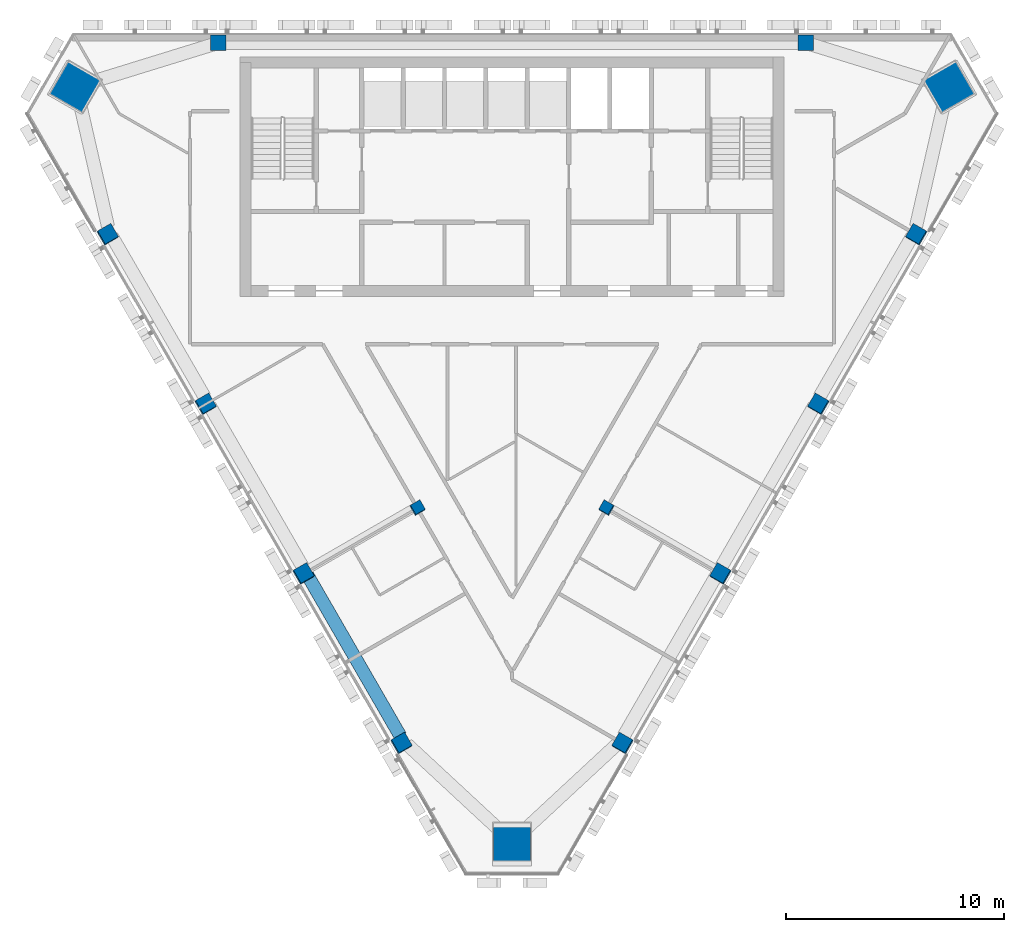
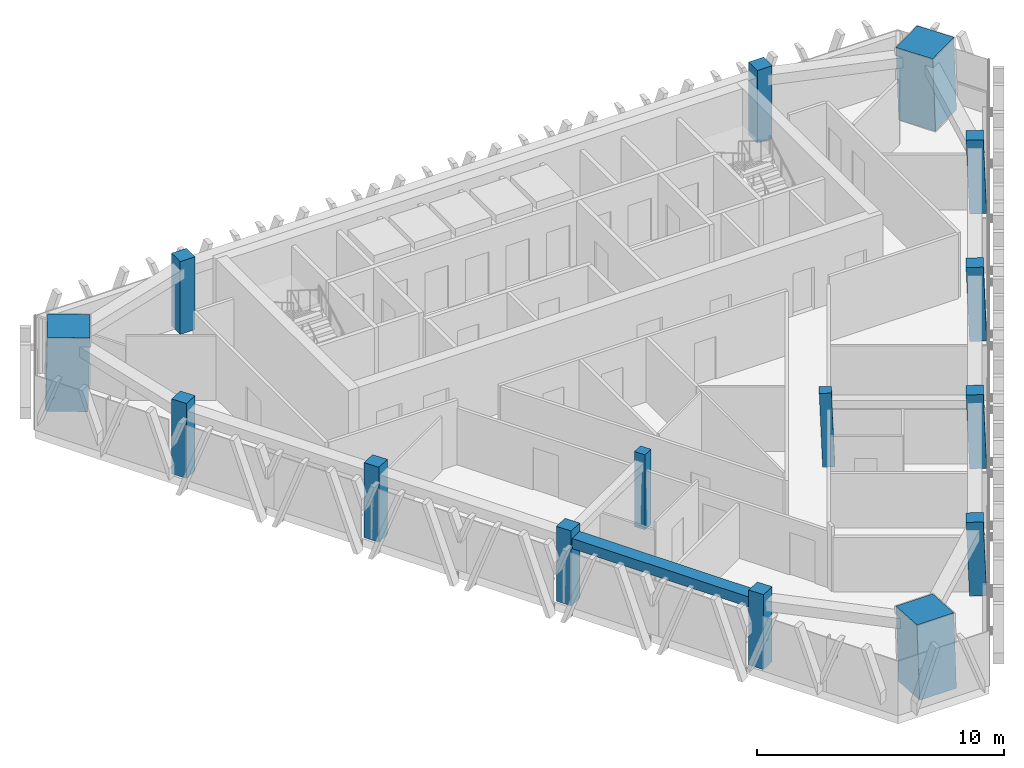
# One storey, part 1 of 14: 15 columns, 1 beam.
"""IFC4 building model written with IfcOpenShell, lengths in metres."""

from ifc_helpers import new_model, si_unit, direction, frame, origin, origin_2d, place, context, subcontext, project, spatial, rectangle, extrude, material, material_profile, profile_set, type_object, element, save


model = new_model("IFC4")

# Units and contexts
model_context = context("Model", 3, precision=1e-05, world=origin(), true_north=direction((0.0, 1.0)))
body_context = subcontext(model_context, "Body", "Model", "MODEL_VIEW")
ifc_project = project(units=[si_unit("LENGTHUNIT", "METRE"), si_unit("AREAUNIT", "SQUARE_METRE"), si_unit("VOLUMEUNIT", "CUBIC_METRE"), si_unit("PLANEANGLEUNIT", "RADIAN"), si_unit("MASSUNIT", "GRAM", prefix="KILO")], contexts=[model_context])

# Site, building, storey
site_placement = place(None, origin())
site = spatial("IfcSite", under=ifc_project, at=site_placement, CompositionType="ELEMENT")
building_placement = place(site_placement, origin())
building = spatial("IfcBuilding", under=site, at=building_placement, Name="Altiplano Prism Tower", CompositionType="ELEMENT")
storey_placement = place(building_placement, frame((0.0, 0.0, 295.0)))
storey = spatial("IfcBuildingStorey", under=building, at=storey_placement, Name="L76", CompositionType="ELEMENT", Elevation=295.0)

# Columns
ifc_material_1 = material(Name="Concrete C60/75", Category="concrete")
ifc_material_profile_1 = material_profile(ifc_material_1, rectangle(XDim=0.5, YDim=0.5, at=origin_2d()), Name="Inner column 500")
ifc_profile_set_1 = profile_set([ifc_material_profile_1], Name="Concrete C60/75")
column_type_1 = type_object("IfcColumnType", Name="Inner column 500", PredefinedType="COLUMN", material=ifc_profile_set_1)
for number, where, z_axis, x_axis, name in (
    (1, (80.64697265625, 83.166259765625, -0.01513671875), (0.02222134892, 0.038480872521, 0.999012229206), (-0.865642107509, -0.499182153693, 0.038482712231), "Inner column I13 L76"),
    (2, (89.35302734375, 83.166259765625, -0.01513671875), (-0.02222134892, 0.038480872521, 0.999012229206), (-0.500169924484, -0.865642189293, 0.022218162776), "Inner column I22 L76"),
):
    element("IfcColumn", number, at=place(storey_placement, frame(where, z_axis=z_axis, x_axis=x_axis)), inside=storey, type_object=column_type_1, Name=name, PredefinedType="COLUMN", context=body_context, shape_type="SweptSolid", body=[
        extrude(rectangle(XDim=0.5, YDim=0.5, at=origin_2d()), origin(), (0.0, 0.0, 1.0), 3.603759765625),
    ])
ifc_material_2 = material(Name="Concrete C70/85", Category="concrete")
ifc_material_profile_2 = material_profile(ifc_material_2, rectangle(XDim=1.719970703125, YDim=1.719970703125, at=origin_2d()), Name="Mega column infill 1800")
ifc_profile_set_2 = profile_set([ifc_material_profile_2], Name="Concrete C70/85")
column_type_2 = type_object("IfcColumnType", Name="Mega column infill 1800", PredefinedType="COLUMN", material=ifc_profile_set_2)
column_1_placement = place(storey_placement, frame((64.86474609375, 102.5009765625, 0.0), z_axis=(0.028401796786, 0.009286506348, 0.999553449666), x_axis=(-0.866199007742, 0.499299837016, 0.019973776385)))
element("IfcColumn", 3, at=column_1_placement, inside=storey, type_object=column_type_2, Name="Mega column M0 L76", PredefinedType="COLUMN", context=body_context, shape_type="SweptSolid", body=[
    extrude(rectangle(XDim=1.719970703125, YDim=1.719970703125, at=origin_2d()), origin(), (0.0, 0.0, 1.0), 3.601806640625),
])
column_2_placement = place(storey_placement, frame((85.0, 67.6259765625, 0.0), z_axis=(0.0, 0.058356907999, 0.998295783467), x_axis=(-1.0, 0.0, 0.0)))
element("IfcColumn", 4, at=column_2_placement, inside=storey, type_object=column_type_2, Name="Mega column M1 L76", PredefinedType="COLUMN", context=body_context, shape_type="SweptSolid", body=[
    extrude(rectangle(XDim=1.719970703125, YDim=1.719970703125, at=origin_2d()), origin(), (0.0, 0.0, 1.0), 3.606201171875),
])
column_3_placement = place(storey_placement, frame((105.13525390625, 102.5009765625, 0.0), z_axis=(-0.028401796786, 0.009286506348, 0.999553449666), x_axis=(0.49888889343, -0.8663809353, 0.02222491757)))
element("IfcColumn", 5, at=column_3_placement, inside=storey, type_object=column_type_2, Name="Mega column M2 L76", PredefinedType="COLUMN", context=body_context, shape_type="SweptSolid", body=[
    extrude(rectangle(XDim=1.719970703125, YDim=1.719970703125, at=origin_2d()), origin(), (0.0, 0.0, 1.0), 3.601806640625),
])
ifc_material_profile_3 = material_profile(ifc_material_1, rectangle(XDim=0.699951171875, YDim=0.699951171875, at=origin_2d()), Name="Perimeter column 700")
ifc_profile_set_3 = profile_set([ifc_material_profile_3], Name="Concrete C60/75")
column_type_3 = type_object("IfcColumnType", Name="Perimeter column 700", PredefinedType="COLUMN", material=ifc_profile_set_3)
for number, where, z_axis, x_axis, name in (
    (6, (98.5, 104.550048828125, 0.0), (0.0, 0.0, 1.0), (1.0, 0.0, 0.0), "Perimeter column P01 L76"),
    (7, (71.5, 104.550048828125, 0.0), (0.0, 0.0, 1.0), (1.0, 0.0, 0.0), "Perimeter column P04 L76"),
):
    element("IfcColumn", number, at=place(storey_placement, frame(where, z_axis=z_axis, x_axis=x_axis)), inside=storey, type_object=column_type_3, Name=name, PredefinedType="COLUMN", context=body_context, shape_type="SweptSolid", body=[
        extrude(rectangle(XDim=0.699951171875, YDim=0.699951171875, at=origin_2d()), origin(), (0.0, 0.0, 1.0), 3.60009765625),
    ])
for number, where, z_axis, x_axis, name in (
    (8, (66.407470703125, 95.7294921875, -0.021240234375), (0.02222134892, 0.038480872521, 0.999012229206), (-0.865639418776, -0.499186807044, 0.038482831667), "Perimeter column P11 L76"),
    (9, (70.907470703125, 87.935302734375, -0.021240234375), (0.022221406801, 0.038413224561, 0.999014831351), (-0.866021397654, -0.498527742336, 0.038432134025), "Perimeter column P12 L76"),
    (10, (75.407470703125, 80.14111328125, -0.021240234375), (0.022221406801, 0.038413224561, 0.999014831351), (-0.866024065394, -0.498523117158, 0.038432015521), "Perimeter column P13 L76"),
    (11, (79.907470703125, 72.346923828125, -0.021240234375), (0.022221406801, 0.038413224561, 0.999014831351), (-0.866024074112, -0.498523102043, 0.038432015134), "Perimeter column P14 L76"),
    (12, (90.092529296875, 72.346923828125, -0.021240234375), (-0.022221406801, 0.038413224561, 0.999014831351), (-0.499508270339, -0.866024907787, 0.022188892584), "Perimeter column P21 L76"),
    (13, (94.592529296875, 80.14111328125, -0.021240234375), (-0.022221406801, 0.038413224561, 0.999014831351), (-0.499508285454, -0.866024899087, 0.022188891913), "Perimeter column P22 L76"),
    (14, (99.092529296875, 87.935302734375, -0.021240234375), (-0.022221406801, 0.038413224561, 0.999014831351), (-0.499512910629, -0.866022236608, 0.022188686659), "Perimeter column P23 L76"),
    (15, (103.592529296875, 95.7294921875, -0.021240234375), (-0.02222134892, 0.038480872521, 0.999012229206), (-0.500174577835, -0.86563950587, 0.022217955907), "Perimeter column P24 L76"),
):
    element("IfcColumn", number, at=place(storey_placement, frame(where, z_axis=z_axis, x_axis=x_axis)), inside=storey, type_object=column_type_3, Name=name, PredefinedType="COLUMN", context=body_context, shape_type="SweptSolid", body=[
        extrude(rectangle(XDim=0.699951171875, YDim=0.699951171875, at=origin_2d()), origin(), (0.0, 0.0, 1.0), 3.603759765625),
    ])

# Beam
ifc_material_profile_4 = material_profile(ifc_material_1, rectangle(XDim=0.60009765625, YDim=0.5, at=origin_2d()), Name="Edge beam 600x500")
ifc_profile_set_4 = profile_set([ifc_material_profile_4], Name="Concrete C60/75")
beam_type = type_object("IfcBeamType", Name="Edge beam 600x500", PredefinedType="SPANDREL", material=ifc_profile_set_4)
beam_placement = place(storey_placement, frame((75.60302734375, 80.081298828125, 2.949951171875), z_axis=(0.499994660107, -0.866028486751, 0.0), x_axis=(0.866028486751, 0.499994660107, 0.0)))
element("IfcBeam", 16, at=beam_placement, inside=storey, type_object=beam_type, Name="Edge beam P13-P14 L77", PredefinedType="SPANDREL", context=body_context, shape_type="SweptSolid", body=[
    extrude(rectangle(XDim=0.60009765625, YDim=0.5, at=origin_2d()), origin(), (0.0, 0.0, 1.0), 8.5400390625),
])

save(model, "model.ifc")
